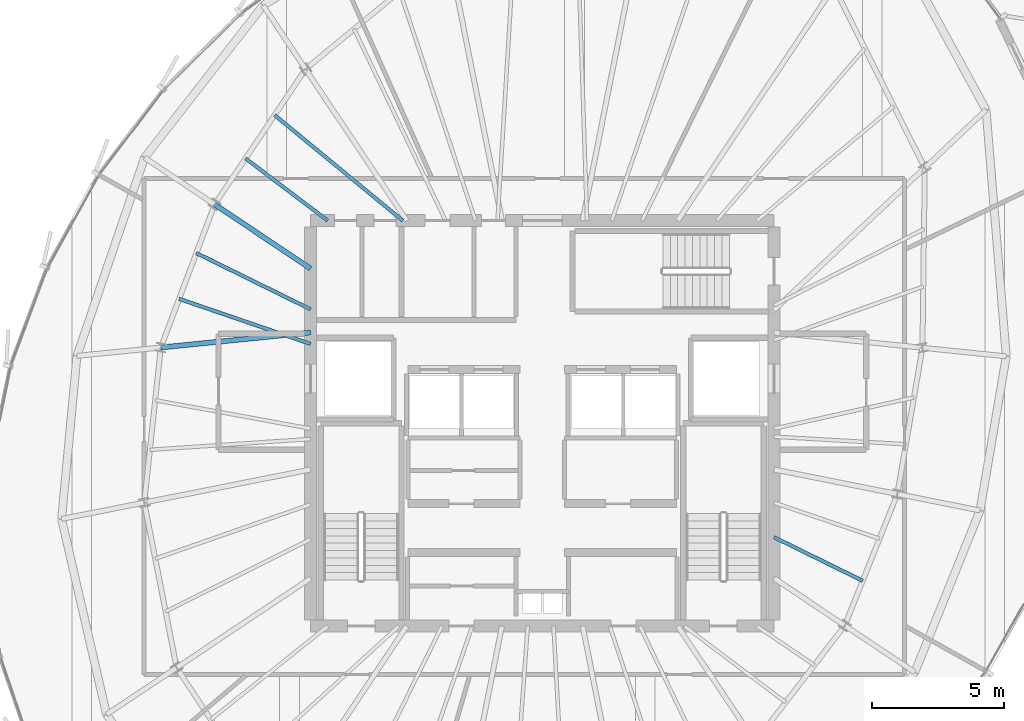
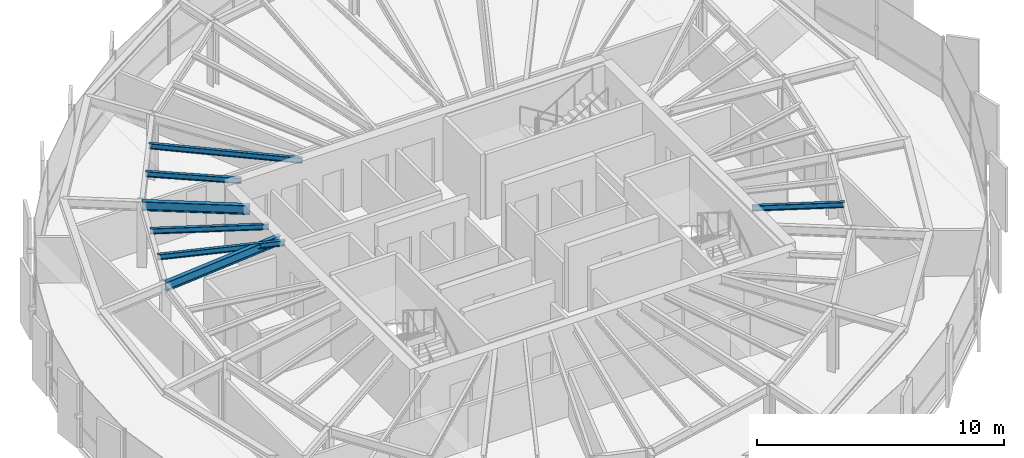
# One storey, part 12 of 34: 7 beams.
"""IFC4 building model written with IfcOpenShell, lengths in metres."""

from ifc_helpers import new_model, si_unit, direction, frame, origin, origin_2d, place, context, subcontext, project, spatial, i_section, extrude, source, transform, mapped, material, material_profile, profile_set, type_object, element, save


model = new_model("IFC4")

# Units and contexts
model_context = context("Model", 3, precision=1e-05, world=origin(), true_north=direction((0.0, 1.0)))
body_context = subcontext(model_context, "Body", "Model", "MODEL_VIEW")
ifc_project = project(units=[si_unit("LENGTHUNIT", "METRE"), si_unit("AREAUNIT", "SQUARE_METRE"), si_unit("VOLUMEUNIT", "CUBIC_METRE"), si_unit("PLANEANGLEUNIT", "RADIAN"), si_unit("MASSUNIT", "GRAM", prefix="KILO"), si_unit("THERMODYNAMICTEMPERATUREUNIT", "KELVIN")], contexts=[model_context])

# Site, building, storey
site_placement = place(None, origin())
site = spatial("IfcSite", under=ifc_project, at=site_placement, CompositionType="ELEMENT")
building_placement = place(site_placement, origin())
building = spatial("IfcBuilding", under=site, at=building_placement, Name="Kethvar Cultural Tower", CompositionType="ELEMENT")
storey_placement = place(building_placement, frame((0.0, 0.0, 231.85009765625)))
storey = spatial("IfcBuildingStorey", under=building, at=storey_placement, Name="L60", CompositionType="ELEMENT", Elevation=231.85009765625)

# Beams
ifc_material = material(Name="Steel S355J2", Category="steel")
ifc_material_profile_1 = material_profile(ifc_material, i_section(OverallWidth=0.18994140625, OverallDepth=0.449951171875, WebThickness=0.009521484375, FlangeThickness=0.0146484375, FilletRadius=0.02099609375, at=origin_2d()), Name="Steel S355J2 — IPE450")
ifc_profile_set_1 = profile_set([ifc_material_profile_1], Name="Steel S355J2 — IPE450")
beam_type_1 = type_object("IfcBeamType", Name="BM-IPE450", PredefinedType="BEAM", material=ifc_profile_set_1)
shared_shape_1 = source(origin(), body_context, "Body", "SweptSolid", [
    extrude(i_section(OverallWidth=0.18994140625, OverallDepth=0.449951171875, WebThickness=0.009521484375, FlangeThickness=0.0146484375, FilletRadius=0.02099609375, at=origin_2d()), origin(), (0.0, 0.0, 1.0), 4.3828125),
])
beam_1_placement = place(storey_placement, frame((38.0, 33.679931640625, 2.98291015625), z_axis=(-0.831449909861, 0.555599718676, 0.0), x_axis=(-0.555599718676, -0.831449909861, 0.0)))
element("IfcBeam", 1, at=beam_1_placement, inside=storey, type_object=beam_type_1, Name="L60 Primary Radial Beam RB-07", PredefinedType="BEAM", context=body_context, shape_type="MappedRepresentation", body=[
    mapped(shared_shape_1, transform((0.0, 0.0, 0.0), scale=1.0)),
])
shared_shape_2 = source(origin(), body_context, "Body", "SweptSolid", [
    extrude(i_section(OverallWidth=0.18994140625, OverallDepth=0.449951171875, WebThickness=0.009521484375, FlangeThickness=0.0146484375, FilletRadius=0.02099609375, at=origin_2d()), origin(), (0.0, 0.0, 1.0), 5.7158203125),
])
beam_2_placement = place(storey_placement, frame((38.0, 31.25, 2.98291015625), z_axis=(-0.995048179628, -0.099393763478, 0.0), x_axis=(0.099393763478, -0.995048179628, 0.0)))
element("IfcBeam", 2, at=beam_2_placement, inside=storey, type_object=beam_type_1, Name="L60 Primary Radial Beam RB-08", PredefinedType="BEAM", context=body_context, shape_type="MappedRepresentation", body=[
    mapped(shared_shape_2, transform((0.0, 0.0, 0.0), scale=1.0)),
])
ifc_material_profile_2 = material_profile(ifc_material, i_section(OverallWidth=0.135009765625, OverallDepth=0.27001953125, WebThickness=0.006591796875, FlangeThickness=0.01025390625, FilletRadius=0.014892578125, at=origin_2d()), Name="Steel S355J2 — IPE270")
ifc_profile_set_2 = profile_set([ifc_material_profile_2], Name="Steel S355J2 — IPE270")
beam_type_2 = type_object("IfcBeamType", Name="BM-J270", PredefinedType="JOIST", material=ifc_profile_set_2)
shared_shape_3 = source(origin(), body_context, "Body", "SweptSolid", [
    extrude(i_section(OverallWidth=0.135009765625, OverallDepth=0.27001953125, WebThickness=0.006591796875, FlangeThickness=0.01025390625, FilletRadius=0.014892578125, at=origin_2d()), origin(), (0.0, 0.0, 1.0), 6.302978515625),
])
beam_3_placement = place(storey_placement, frame((41.5, 35.5, 3.072998046875), z_axis=(-0.771828477148, 0.635830796567, 0.0), x_axis=(-0.635830796567, -0.771828477148, 0.0)))
element("IfcBeam", 3, at=beam_3_placement, inside=storey, type_object=beam_type_2, Name="L60 Composite Floor Joist J-06A", PredefinedType="JOIST", context=body_context, shape_type="MappedRepresentation", body=[
    mapped(shared_shape_3, transform((0.0, 0.0, 0.0), scale=1.0)),
])
shared_shape_4 = source(origin(), body_context, "Body", "SweptSolid", [
    extrude(i_section(OverallWidth=0.135009765625, OverallDepth=0.27001953125, WebThickness=0.006591796875, FlangeThickness=0.01025390625, FilletRadius=0.014892578125, at=origin_2d()), origin(), (0.0, 0.0, 1.0), 3.91357421875),
])
beam_4_placement = place(storey_placement, frame((38.64990234375, 35.5, 3.072998046875), z_axis=(-0.797214062325, 0.603696727531, 0.0), x_axis=(-0.603696727531, -0.797214062325, 0.0)))
element("IfcBeam", 4, at=beam_4_placement, inside=storey, type_object=beam_type_2, Name="L60 Composite Floor Joist J-06B", PredefinedType="JOIST", context=body_context, shape_type="MappedRepresentation", body=[
    mapped(shared_shape_4, transform((0.0, 0.0, 0.0), scale=1.0)),
])
shared_shape_5 = source(origin(), body_context, "Body", "SweptSolid", [
    extrude(i_section(OverallWidth=0.135009765625, OverallDepth=0.27001953125, WebThickness=0.006591796875, FlangeThickness=0.01025390625, FilletRadius=0.014892578125, at=origin_2d()), origin(), (0.0, 0.0, 1.0), 4.8359375),
])
beam_5_placement = place(storey_placement, frame((38.0, 32.1318359375, 3.072998046875), z_axis=(-0.897196527088, 0.441631511308, 0.0), x_axis=(-0.441631511308, -0.897196527088, 0.0)))
element("IfcBeam", 5, at=beam_5_placement, inside=storey, type_object=beam_type_2, Name="L60 Composite Floor Joist J-07A", PredefinedType="JOIST", context=body_context, shape_type="MappedRepresentation", body=[
    mapped(shared_shape_5, transform((0.0, 0.0, 0.0), scale=1.0)),
])
shared_shape_6 = source(origin(), body_context, "Body", "SweptSolid", [
    extrude(i_section(OverallWidth=0.135009765625, OverallDepth=0.27001953125, WebThickness=0.006591796875, FlangeThickness=0.01025390625, FilletRadius=0.014892578125, at=origin_2d()), origin(), (0.0, 0.0, 1.0), 5.2783203125),
])
beam_6_placement = place(storey_placement, frame((38.0, 30.817138671875, 3.072998046875), z_axis=(-0.945942702368, 0.324333784607, 0.0), x_axis=(-0.324333784607, -0.945942702368, 0.0)))
element("IfcBeam", 6, at=beam_6_placement, inside=storey, type_object=beam_type_2, Name="L60 Composite Floor Joist J-07B", PredefinedType="JOIST", context=body_context, shape_type="MappedRepresentation", body=[
    mapped(shared_shape_6, transform((0.0, 0.0, 0.0), scale=1.0)),
])
shared_shape_7 = source(origin(), body_context, "Body", "SweptSolid", [
    extrude(i_section(OverallWidth=0.135009765625, OverallDepth=0.27001953125, WebThickness=0.006591796875, FlangeThickness=0.01025390625, FilletRadius=0.014892578125, at=origin_2d()), origin(), (0.0, 0.0, 1.0), 3.75),
])
beam_7_placement = place(storey_placement, frame((55.60009765625, 23.476318359375, 3.072998046875), z_axis=(0.8975046019, -0.441005090184, 0.0), x_axis=(0.441005090184, 0.8975046019, 0.0)))
element("IfcBeam", 7, at=beam_7_placement, inside=storey, type_object=beam_type_2, Name="L60 Composite Floor Joist J-15A", PredefinedType="JOIST", context=body_context, shape_type="MappedRepresentation", body=[
    mapped(shared_shape_7, transform((0.0, 0.0, 0.0), scale=1.0)),
])

save(model, "model.ifc")
